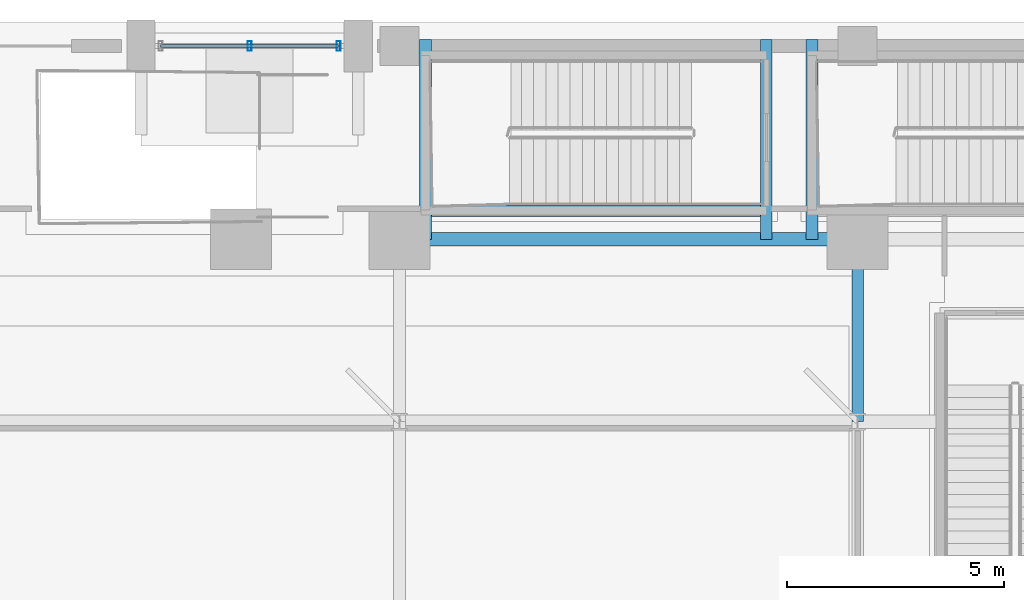
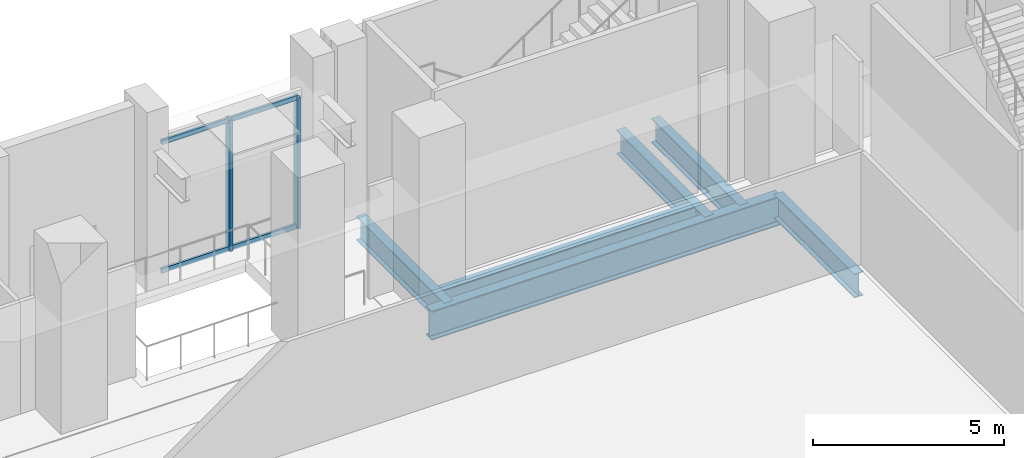
# One storey, part 15 of 36: 6 beams, 4 members, 1 element without a shape of its own.
"""IFC4 building model written with IfcOpenShell, lengths in metres."""

import ifcopenshell
import ifcopenshell.guid

model = None  # the IFC model being written
_history = None  # IfcOwnerHistory: only IFC2X3 demands one
_inside = {}  # id of a spatial element -> (the spatial element, [elements in it])
_under = {}  # id of a project, library or spatial element -> (it, [spatial elements below it])
_declared = {}  # id of a project -> (the project, [libraries it declares])
_typed = {}  # id of a type object -> (the type object, [elements of that type])
_made_of = {}  # id of a material, layer set ... -> (it, [elements and type objects made of it])


def new_model(schema):
    """Start an empty IFC model of exactly this schema.

    Asked for "IFC4X3", IfcOpenShell would pick the latest addendum, in which some entities
    have other attributes; the version numbers below select the first issue.
    IFC2X3 requires an IfcOwnerHistory on every rooted entity: one is made here for all.
    """
    global model, _history
    if schema == "IFC4X3":
        model = ifcopenshell.file(schema_version=(4, 3, 0, 0))
    else:
        model = ifcopenshell.file(schema=schema)
    _inside.clear()
    _under.clear()
    _declared.clear()
    _typed.clear()
    _made_of.clear()
    _history = None
    if model.schema == "IFC2X3":
        org = make("IfcOrganization", Name="unknown")
        user = make(
            "IfcPersonAndOrganization",
            ThePerson=make("IfcPerson", FamilyName="unknown"),
            TheOrganization=org,
        )
        app = make(
            "IfcApplication",
            ApplicationDeveloper=org,
            Version="unknown",
            ApplicationFullName="unknown",
            ApplicationIdentifier="unknown",
        )
        _history = make(
            "IfcOwnerHistory",
            OwningUser=user,
            OwningApplication=app,
            ChangeAction="ADDED",
            CreationDate=0,
        )
    return model


def make(cls, **values):
    """One entity of the class cls with the attributes given. An attribute that is None is left unset."""
    return model.create_entity(
        cls, **{name: value for name, value in values.items() if value is not None}
    )


def rooted(cls, **values):
    """An entity with a GlobalId (a new one), such as an element, a storey or a relation."""
    return make(cls, GlobalId=ifcopenshell.guid.new(), OwnerHistory=_history, **values)


def si_unit(unit_type, name, prefix=None):
    """IfcSIUnit, for example si_unit("LENGTHUNIT", "METRE", prefix="MILLI")."""
    return make("IfcSIUnit", UnitType=unit_type, Prefix=prefix, Name=name)


def assignment(units):
    """IfcUnitAssignment: the units of a project."""
    return None if units is None else make("IfcUnitAssignment", Units=units)


def point(xyz):
    """IfcCartesianPoint."""
    return None if xyz is None else make("IfcCartesianPoint", Coordinates=xyz)


def direction(xyz):
    """IfcDirection."""
    return None if xyz is None else make("IfcDirection", DirectionRatios=xyz)


def frame(location, z_axis=None, x_axis=None):
    """IfcAxis2Placement3D, a coordinate frame: its origin and axes. An axis left out is left unset."""
    return make(
        "IfcAxis2Placement3D",
        Location=point(location),
        Axis=direction(z_axis),
        RefDirection=direction(x_axis),
    )


def frame_2d(location, x_axis=None):
    """IfcAxis2Placement2D, a coordinate frame in the plane: its origin and x axis."""
    return make(
        "IfcAxis2Placement2D", Location=point(location), RefDirection=direction(x_axis)
    )


def origin():
    """The frame at (0, 0, 0) with its axes left unset."""
    return frame((0.0, 0.0, 0.0))


def origin_2d():
    """The frame at (0, 0) in the plane with its x axis left unset."""
    return frame_2d((0.0, 0.0))


def place(relative_to, where):
    """IfcLocalPlacement: puts the frame where relative to a parent placement (None: the world)."""
    return make(
        "IfcLocalPlacement", PlacementRelTo=relative_to, RelativePlacement=where
    )


def context(
    kind, dimensions, precision=None, world=None, true_north=None, identifier=None
):
    """IfcGeometricRepresentationContext, for example the 3D "Model" context."""
    return make(
        "IfcGeometricRepresentationContext",
        ContextIdentifier=identifier,
        ContextType=kind,
        CoordinateSpaceDimension=dimensions,
        Precision=precision,
        WorldCoordinateSystem=world,
        TrueNorth=true_north,
    )


def subcontext(parent, identifier, kind, view, scale=None):
    """IfcGeometricRepresentationSubContext, for example "Body" below "Model"."""
    return make(
        "IfcGeometricRepresentationSubContext",
        ContextIdentifier=identifier,
        ContextType=kind,
        ParentContext=parent,
        TargetScale=scale,
        TargetView=view,
    )


def project(units=None, contexts=None):
    """IfcProject with its units and contexts."""
    return rooted(
        "IfcProject",
        Name="project",
        RepresentationContexts=contexts,
        UnitsInContext=assignment(units),
    )


def spatial(cls, under=None, at=None, **own):
    """A site, building, storey or space (cls), placed at a placement, below another one or the project."""
    s = rooted(cls, ObjectPlacement=at, **own)
    if under is not None:
        _under.setdefault(under.id(), (under, []))[1].append(s)
    return s


def profile(cls, at=None, kind="AREA", **sizes):
    """A parametric profile (cls). Its sizes go by their IFC names, for example OverallWidth=200.0."""
    return make(cls, ProfileType=kind, Position=at, **sizes)


def hollow_rectangle(**sizes):
    """IfcRectangleHollowProfileDef."""
    return profile("IfcRectangleHollowProfileDef", **sizes)


def i_section(**sizes):
    """IfcIShapeProfileDef."""
    return profile("IfcIShapeProfileDef", **sizes)


def extrude(swept, where, along, depth):
    """IfcExtrudedAreaSolid: the profile swept, set in the frame where, extruded along a direction by depth."""
    return make(
        "IfcExtrudedAreaSolid",
        SweptArea=swept,
        Position=where,
        ExtrudedDirection=direction(along),
        Depth=depth,
    )


def shape(context_of_items, identifier, shape_type, items):
    """IfcShapeRepresentation: the items that make up one representation, for example the "Body"."""
    return make(
        "IfcShapeRepresentation",
        ContextOfItems=context_of_items,
        RepresentationIdentifier=identifier,
        RepresentationType=shape_type,
        Items=items,
    )


def material(Name=None, Category=None):
    """IfcMaterial."""
    return make("IfcMaterial", Name=Name, Category=Category)


def layer(
    of_material, thickness, ventilated=None, Name=None, Category=None, Priority=None
):
    """IfcMaterialLayer: one layer of a wall or slab, of a material (None: an air gap)."""
    return make(
        "IfcMaterialLayer",
        Material=of_material,
        LayerThickness=thickness,
        IsVentilated=ventilated,
        Name=Name,
        Category=Category,
        Priority=Priority,
    )


def layer_set(layers, Name=None):
    """IfcMaterialLayerSet."""
    return make("IfcMaterialLayerSet", MaterialLayers=layers, LayerSetName=Name)


def material_profile(
    of_material, cross_section, Name=None, Category=None, Priority=None
):
    """IfcMaterialProfile: a cross section and its material."""
    return make(
        "IfcMaterialProfile",
        Name=Name,
        Material=of_material,
        Profile=cross_section,
        Priority=Priority,
        Category=Category,
    )


def profile_set(profiles, Name=None, composite=None):
    """IfcMaterialProfileSet."""
    return make(
        "IfcMaterialProfileSet",
        Name=Name,
        MaterialProfiles=profiles,
        CompositeProfile=composite,
    )


def made_of(thing, what):
    """Note that an element or type object is made of a material, layer set ...; save() writes the relation."""
    if what is not None:
        _made_of.setdefault(what.id(), (what, []))[1].append(thing)
    return thing


def type_object(cls, material=None, **own):
    """A type object (cls), such as IfcWallType, which elements share."""
    return made_of(rooted(cls, **own), material)


def element(
    cls,
    number,
    at=None,
    inside=None,
    cuts=None,
    type_object=None,
    material=None,
    context=None,
    identifier="Body",
    shape_type=None,
    held_by="IfcProductDefinitionShape",
    body=None,
    shapes=None,
    **own,
):
    """One element of the class cls, such as IfcWall. Its Tag is "e" and its number.

    at: its placement. inside: the storey or other place that contains it. cuts: it is an
    opening in that element (IfcRelVoidsElement). A single representation is given by context,
    identifier, shape_type and body (its items); several are given by shapes. held_by: the class
    of the entity that holds the representations. save() writes the other relations.
    """
    e = rooted(cls, Tag="e%d" % number, ObjectPlacement=at, **own)
    if body is not None:
        shapes = [shape(context, identifier, shape_type, body)]
    if shapes is not None:
        e.Representation = make(held_by, Representations=shapes)
    if inside is not None:
        _inside.setdefault(inside.id(), (inside, []))[1].append(e)
    if cuts is not None:
        rooted(
            "IfcRelVoidsElement", RelatingBuildingElement=cuts, RelatedOpeningElement=e
        )
    if type_object is not None:
        _typed.setdefault(type_object.id(), (type_object, []))[1].append(e)
    return made_of(e, material)


def aggregate(whole, parts):
    """IfcRelAggregates: a whole, such as a stair, and the parts it consists of."""
    return rooted("IfcRelAggregates", RelatingObject=whole, RelatedObjects=parts)


def save(model, path):
    """Write the relations noted so far, then the file.

    IfcRelAggregates (storeys below a building ...), IfcRelContainedInSpatialStructure (elements
    in a storey), IfcRelDefinesByType, IfcRelAssociatesMaterial and IfcRelDeclares: one each for
    every whole, place, type object, material and project.
    """
    for whole, parts in _under.values():
        aggregate(whole, parts)
    for where, things in _inside.values():
        rooted(
            "IfcRelContainedInSpatialStructure",
            RelatedElements=things,
            RelatingStructure=where,
        )
    for kind, things in _typed.values():
        rooted("IfcRelDefinesByType", RelatedObjects=things, RelatingType=kind)
    for what, things in _made_of.values():
        rooted("IfcRelAssociatesMaterial", RelatedObjects=things, RelatingMaterial=what)
    for by, libraries in _declared.values():
        rooted("IfcRelDeclares", RelatingContext=by, RelatedDefinitions=libraries)
    model.write(path)


model = new_model("IFC4")

# Units and contexts
model_context = context("Model", 3, precision=1e-05, world=origin(), true_north=direction((0.0, 1.0)))
body_context = subcontext(model_context, "Body", "Model", "MODEL_VIEW")
ifc_project = project(units=[si_unit("LENGTHUNIT", "METRE"), si_unit("AREAUNIT", "SQUARE_METRE"), si_unit("VOLUMEUNIT", "CUBIC_METRE"), si_unit("PLANEANGLEUNIT", "RADIAN"), si_unit("MASSUNIT", "GRAM", prefix="KILO")], contexts=[model_context])

# Site, building, storey
site_placement = place(None, origin())
site = spatial("IfcSite", under=ifc_project, at=site_placement, CompositionType="ELEMENT")
building_placement = place(site_placement, origin())
building = spatial("IfcBuilding", under=site, at=building_placement, Name="Ndaravel Arena Tower", CompositionType="ELEMENT")
storey_placement = place(building_placement, origin())
storey = spatial("IfcBuildingStorey", under=building, at=storey_placement, Name="L00", CompositionType="ELEMENT", Elevation=0.0)

# Beams
ifc_material_1 = material(Name="Steel S355", Category="steel")
ifc_material_profile_1 = material_profile(ifc_material_1, i_section(OverallWidth=0.26806640625, OverallDepth=0.769775390625, WebThickness=0.015625, FlangeThickness=0.025390625, FilletRadius=0.0166015625, at=origin_2d()), Name="UB 762x267x197")
ifc_profile_set_1 = profile_set([ifc_material_profile_1], Name="Steel S355")
beam_type_1 = type_object("IfcBeamType", Name="BM-POD-UB762", PredefinedType="BEAM", material=ifc_profile_set_1)
beam_1_placement = place(storey_placement, frame((64.0, 38.800048828125, -0.784912109375), z_axis=(0.0, 1.0, 0.0), x_axis=(-1.0, 0.0, 0.0)))
element("IfcBeam", 1, at=beam_1_placement, inside=storey, type_object=beam_type_1, Name="L00 Sub-Court Tie 5.38", PredefinedType="BEAM", context=body_context, shape_type="SweptSolid", body=[
    extrude(i_section(OverallWidth=0.26806640625, OverallDepth=0.769775390625, WebThickness=0.015625, FlangeThickness=0.025390625, FilletRadius=0.0166015625, at=origin_2d()), origin(), (0.0, 0.0, 1.0), 4.199951171875),
])
for number, where, z_axis, x_axis, name in (
    (2, (54.050048828125, 43.0, -0.784912109375), (0.0, 1.0, 0.0), (-1.0, 0.0, 0.0), "L00 Stair ST-A10 North Tie Girder 1"),
    (3, (61.89990234375, 43.0, -0.784912109375), (0.0, 1.0, 0.0), (-1.0, 0.0, 0.0), "L00 Stair ST-A10 North Tie Girder 2"),
):
    element("IfcBeam", number, at=place(storey_placement, frame(where, z_axis=z_axis, x_axis=x_axis)), inside=storey, type_object=beam_type_1, Name=name, PredefinedType="BEAM", context=body_context, shape_type="SweptSolid", body=[
        extrude(i_section(OverallWidth=0.26806640625, OverallDepth=0.769775390625, WebThickness=0.015625, FlangeThickness=0.025390625, FilletRadius=0.0166015625, at=origin_2d()), origin(), (0.0, 0.0, 1.0), 4.60009765625),
    ])
beam_2_placement = place(storey_placement, frame((54.050048828125, 43.659912109375, -0.784912109375), z_axis=(1.0, 0.0, 0.0), x_axis=(0.0, 1.0, 0.0)))
element("IfcBeam", 4, at=beam_2_placement, inside=storey, type_object=beam_type_1, Name="L00 Stair ST-A10 Inner Carrier Beam", PredefinedType="BEAM", context=body_context, shape_type="SweptSolid", body=[
    extrude(i_section(OverallWidth=0.26806640625, OverallDepth=0.769775390625, WebThickness=0.015625, FlangeThickness=0.025390625, FilletRadius=0.0166015625, at=origin_2d()), origin(), (0.0, 0.0, 1.0), 7.849853515625),
])
beam_3_placement = place(storey_placement, frame((62.949951171875, 43.0, -0.784912109375), z_axis=(0.0, 1.0, 0.0), x_axis=(-1.0, 0.0, 0.0)))
element("IfcBeam", 5, at=beam_3_placement, inside=storey, type_object=beam_type_1, Name="L00 Stair ST-A11 North Tie Girder 1", PredefinedType="BEAM", context=body_context, shape_type="SweptSolid", body=[
    extrude(i_section(OverallWidth=0.26806640625, OverallDepth=0.769775390625, WebThickness=0.015625, FlangeThickness=0.025390625, FilletRadius=0.0166015625, at=origin_2d()), origin(), (0.0, 0.0, 1.0), 4.60009765625),
])
ifc_material_2 = material(Name="Steel S355", Category="steel")
ifc_material_profile_2 = material_profile(ifc_material_2, i_section(OverallWidth=0.3076171875, OverallDepth=0.926513671875, WebThickness=0.01953125, FlangeThickness=0.031982421875, FilletRadius=0.01904296875, at=origin_2d()), Name="UB 914x305x289")
ifc_profile_set_2 = profile_set([ifc_material_profile_2], Name="Steel S355")
beam_type_2 = type_object("IfcBeamType", Name="BM-POD-UB914B", PredefinedType="BEAM", material=ifc_profile_set_2)
beam_4_placement = place(storey_placement, frame((53.449951171875, 43.0, -0.86328125), z_axis=(1.0, 0.0, 0.0), x_axis=(0.0, 1.0, 0.0)))
element("IfcBeam", 6, at=beam_4_placement, inside=storey, type_object=beam_type_2, Name="L00 Arena Ring Girder 15", PredefinedType="BEAM", context=body_context, shape_type="SweptSolid", body=[
    extrude(i_section(OverallWidth=0.3076171875, OverallDepth=0.926513671875, WebThickness=0.01953125, FlangeThickness=0.031982421875, FilletRadius=0.01904296875, at=origin_2d()), origin(), (0.0, 0.0, 1.0), 10.550048828125),
])

# Curtain wall, members
ifc_material_3 = material(Name="Aluminium", Category="aluminium")
ifc_layer = layer(ifc_material_3, 0.179931640625)
ifc_layer_set = layer_set([ifc_layer], Name="Aluminium")
curtain_wall_type = type_object("IfcCurtainWallType", Name="CW-SYS-05", PredefinedType="NOTDEFINED", material=ifc_layer_set)
curtain_wall_placement = place(storey_placement, origin())
curtain_wall = element("IfcCurtainWall", 7, at=curtain_wall_placement, inside=storey, type_object=curtain_wall_type, Name="L00 North Plaza Storefront CW-L00-NF-2", PredefinedType="NOTDEFINED")
ifc_material_4 = material(Name="Aluminium", Category="aluminium")
ifc_material_profile_3 = material_profile(ifc_material_4, hollow_rectangle(XDim=0.090087890625, YDim=0.219970703125, WallThickness=0.0048828125, at=origin_2d()), Name="CW MULLION 90x220x5")
ifc_profile_set_3 = profile_set([ifc_material_profile_3], Name="Aluminium")
member_type_1 = type_object("IfcMemberType", Name="MEM-CW-MUL220", PredefinedType="MULLION", material=ifc_profile_set_3)
member_1_placement = place(storey_placement, frame((50.0, 47.449951171875, 0.0), z_axis=(0.0, 0.0, 1.0), x_axis=(1.0, 0.0, 0.0)))
member_1 = element("IfcMember", 8, at=member_1_placement, type_object=member_type_1, Name="CW-L00-NF-2 Mullion 01", PredefinedType="MULLION", context=body_context, shape_type="SweptSolid", body=[
    extrude(hollow_rectangle(XDim=0.090087890625, YDim=0.219970703125, WallThickness=0.0048828125, at=origin_2d()), origin(), (0.0, 0.0, 1.0), 4.179931640625),
])
member_2_placement = place(storey_placement, frame((52.050048828125, 47.449951171875, 0.0), z_axis=(0.0, 0.0, 1.0), x_axis=(1.0, 0.0, 0.0)))
member_2 = element("IfcMember", 9, at=member_2_placement, type_object=member_type_1, Name="CW-L00-NF-2 Mullion 02", PredefinedType="MULLION", context=body_context, shape_type="SweptSolid", body=[
    extrude(hollow_rectangle(XDim=0.090087890625, YDim=0.219970703125, WallThickness=0.0048828125, at=origin_2d()), origin(), (0.0, 0.0, 1.0), 4.179931640625),
])
ifc_material_5 = material(Name="Aluminium", Category="aluminium")
ifc_material_profile_4 = material_profile(ifc_material_5, hollow_rectangle(XDim=0.074951171875, YDim=0.14990234375, WallThickness=0.00390625, at=origin_2d()), Name="CW TRANSOM 75x150x4")
ifc_profile_set_4 = profile_set([ifc_material_profile_4], Name="Aluminium")
member_type_2 = type_object("IfcMemberType", Name="MEM-CW-TRN150", PredefinedType="USERDEFINED", material=ifc_profile_set_4)
member_3_placement = place(storey_placement, frame((47.949951171875, 47.449951171875, 0.0400390625), z_axis=(1.0, 0.0, 0.0), x_axis=(0.0, 1.0, 0.0)))
member_3 = element("IfcMember", 10, at=member_3_placement, type_object=member_type_2, Name="CW-L00-NF-2 Transom 01", ObjectType="TRANSOM", PredefinedType="USERDEFINED", context=body_context, shape_type="SweptSolid", body=[
    extrude(hollow_rectangle(XDim=0.074951171875, YDim=0.14990234375, WallThickness=0.00390625, at=origin_2d()), origin(), (0.0, 0.0, 1.0), 4.10009765625),
])
member_4_placement = place(storey_placement, frame((47.949951171875, 47.449951171875, 4.139892578125), z_axis=(1.0, 0.0, 0.0), x_axis=(0.0, 1.0, 0.0)))
member_4 = element("IfcMember", 11, at=member_4_placement, type_object=member_type_2, Name="CW-L00-NF-2 Transom 02", ObjectType="TRANSOM", PredefinedType="USERDEFINED", context=body_context, shape_type="SweptSolid", body=[
    extrude(hollow_rectangle(XDim=0.074951171875, YDim=0.14990234375, WallThickness=0.00390625, at=origin_2d()), origin(), (0.0, 0.0, 1.0), 4.10009765625),
])
aggregate(curtain_wall, [member_1, member_2, member_3, member_4])

save(model, "model.ifc")
